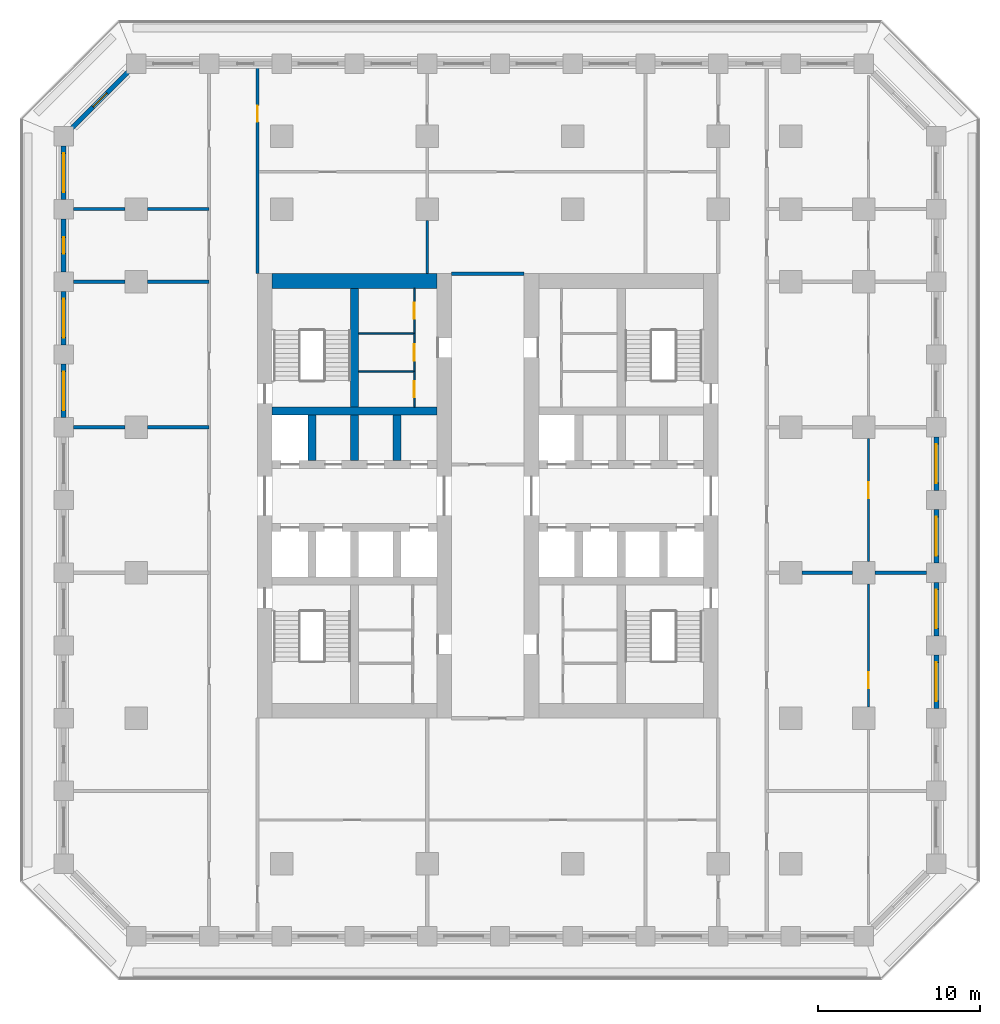
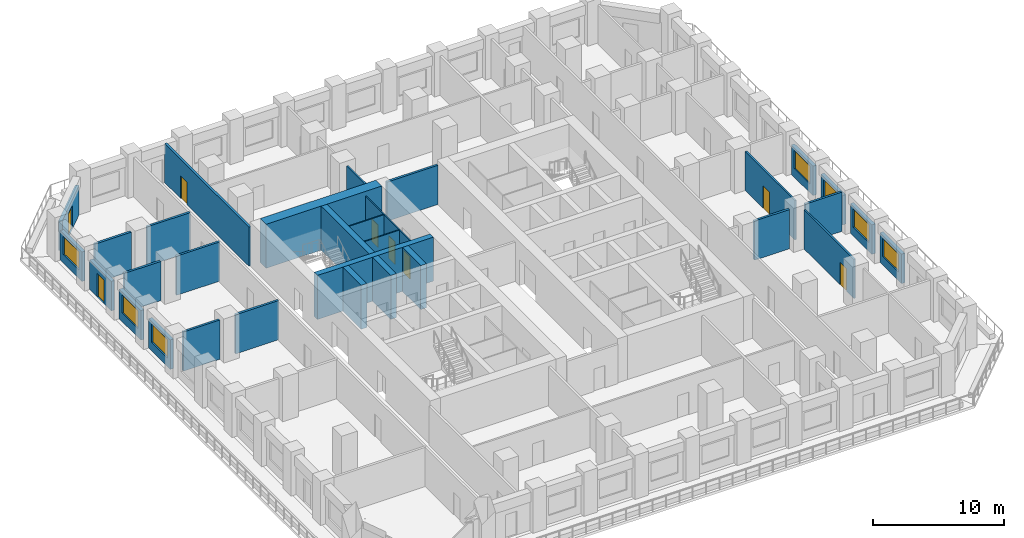
# One storey, part 6 of 17: 33 walls, 8 doors, 7 windows, 15 openings.
"""IFC4 building model written with IfcOpenShell, lengths in metres."""

from ifc_helpers import new_model, si_unit, direction, frame, frame_2d, origin, place, context, subcontext, project, spatial, rectangle, extrude, material, layer, layer_set, type_object, element, fill, save


model = new_model("IFC4")

# Units and contexts
model_context = context("Model", 3, precision=1e-05, world=origin(), true_north=direction((0.0, 1.0)))
body_context = subcontext(model_context, "Body", "Model", "MODEL_VIEW")
ifc_project = project(units=[si_unit("LENGTHUNIT", "METRE"), si_unit("AREAUNIT", "SQUARE_METRE"), si_unit("VOLUMEUNIT", "CUBIC_METRE"), si_unit("PLANEANGLEUNIT", "RADIAN"), si_unit("MASSUNIT", "GRAM", prefix="KILO")], contexts=[model_context])

# Site, building, storey
site_placement = place(None, origin())
site = spatial("IfcSite", under=ifc_project, at=site_placement, CompositionType="ELEMENT")
building_placement = place(site_placement, origin())
building = spatial("IfcBuilding", under=site, at=building_placement, Name="Corbel Stack Research Tower", CompositionType="ELEMENT")
storey_placement = place(building_placement, frame((0.0, 0.0, 86.10009765625)))
storey = spatial("IfcBuildingStorey", under=building, at=storey_placement, Name="L19", CompositionType="ELEMENT", Elevation=86.10009765625)

# Walls
ifc_material_1 = material(Name="Concrete C70/85", Category="concrete")
ifc_layer_1 = layer(ifc_material_1, 0.5)
ifc_layer_set_1 = layer_set([ifc_layer_1], Name="Concrete C70/85")
wall_type_1 = type_object("IfcWallType", Name="CW-500-70", PredefinedType="SHEAR", material=ifc_layer_set_1)
wall_1_placement = place(storey_placement, frame((-9.60009765625, 10.0, 0.0), z_axis=(0.0, 0.0, 1.0), x_axis=(1.0, 0.0, 0.0)))
element("IfcWall", 1, at=wall_1_placement, inside=storey, type_object=wall_type_1, Name="West core wall, north row back L19", PredefinedType="SHEAR", context=body_context, shape_type="SweptSolid", body=[
    extrude(rectangle(XDim=10.2001953125, YDim=0.5, at=frame_2d((5.10009765625, 0.0))), origin(), (0.0, 0.0, 1.0), 4.099853515625),
])
for number, where, z_axis, x_axis, name in (
    (2, (-7.125, 6.949951171875, 0.0), (0.0, 0.0, 1.0), (0.0, 1.0, 0.0), "West core wall, north shaft 1 L19"),
    (3, (-4.5, 6.949951171875, 0.0), (0.0, 0.0, 1.0), (0.0, 1.0, 0.0), "West core wall, north shaft 2 L19"),
    (4, (-1.875, 6.949951171875, 0.0), (0.0, 0.0, 1.0), (0.0, 1.0, 0.0), "West core wall, north shaft 3 L19"),
):
    element("IfcWall", number, at=place(storey_placement, frame(where, z_axis=z_axis, x_axis=x_axis)), inside=storey, type_object=wall_type_1, Name=name, PredefinedType="SHEAR", context=body_context, shape_type="SweptSolid", body=[
        extrude(rectangle(XDim=2.800048828125, YDim=0.5, at=frame_2d((1.39990234375, 0.0))), origin(), (0.0, 0.0, 1.0), 4.099853515625),
    ])
wall_2_placement = place(storey_placement, frame((-4.5, 10.25, 0.0), z_axis=(0.0, 0.0, 1.0), x_axis=(0.0, 1.0, 0.0)))
element("IfcWall", 5, at=wall_2_placement, inside=storey, type_object=wall_type_1, Name="West core wall, north stair and riser L19", PredefinedType="SHEAR", context=body_context, shape_type="SweptSolid", body=[
    extrude(rectangle(XDim=7.35009765625, YDim=0.5, at=frame_2d((3.675048828125, 0.0))), origin(), (0.0, 0.0, 1.0), 4.099853515625),
])
ifc_material_2 = material(Name="Concrete C70/85", Category="concrete")
ifc_layer_2 = layer(ifc_material_2, 0.89990234375)
ifc_layer_set_2 = layer_set([ifc_layer_2], Name="Concrete C70/85")
wall_type_2 = type_object("IfcWallType", Name="CW-900-70", PredefinedType="SHEAR", material=ifc_layer_set_2)
wall_3_placement = place(storey_placement, frame((-9.60009765625, 18.050048828125, 0.0), z_axis=(0.0, 0.0, 1.0), x_axis=(1.0, 0.0, 0.0)))
element("IfcWall", 6, at=wall_3_placement, inside=storey, type_object=wall_type_2, Name="West core wall, north end L19", PredefinedType="SHEAR", context=body_context, shape_type="SweptSolid", body=[
    extrude(rectangle(XDim=10.2001953125, YDim=0.89990234375, at=frame_2d((5.10009765625, 0.0))), origin(), (0.0, 0.0, 1.0), 4.099853515625),
])

# Wall, opening, door
ifc_material_3 = material(Name="Gypsum board")
ifc_layer_3 = layer(ifc_material_3, 0.10009765625)
ifc_layer_set_3 = layer_set([ifc_layer_3], Name="Gypsum board")
wall_type_3 = type_object("IfcWallType", Name="Core partition 100", PredefinedType="PARTITIONING", material=ifc_layer_set_3)
wall_4_placement = place(storey_placement, frame((-0.800048828125, 10.25, 0.0), z_axis=(0.0, 0.0, 1.0), x_axis=(0.0, 1.0, 0.0)))
wall_4 = element("IfcWall", 7, at=wall_4_placement, inside=storey, type_object=wall_type_3, Name="Core partition W", PredefinedType="PARTITIONING", context=body_context, shape_type="SweptSolid", body=[
    extrude(rectangle(XDim=2.205078125, YDim=0.10009765625, at=frame_2d((1.1025390625, 0.0))), origin(), (0.0, 0.0, 1.0), 3.64990234375),
])
opening_1_placement = place(wall_4_placement, frame((0.6025390625, 0.0, 0.0)))
opening_1 = element("IfcOpeningElement", 8, at=opening_1_placement, cuts=wall_4, Name="Opening CR-W12-R2-1000", PredefinedType="OPENING", context=body_context, shape_type="SweptSolid", body=[
    extrude(rectangle(XDim=1.0, YDim=2.10009765625, at=frame_2d((0.5, 1.050048828125))), frame((0.0, 0.06005859375, 0.0), z_axis=(0.0, -1.0, 0.0), x_axis=(1.0, 0.0, 0.0)), (0.0, 0.0, 1.0), 0.1201171875),
])
ifc_material_4 = material(Name="Painted steel door", Category="steel")
door_type_1 = type_object("IfcDoorType", Name="Riser door 1000 x 2100 FD60 right hand", OperationType="SINGLE_SWING_RIGHT", PredefinedType="DOOR", material=ifc_material_4)
door_1_placement = place(opening_1_placement, origin())
door_1 = element("IfcDoor", 9, at=door_1_placement, inside=storey, type_object=door_type_1, Name="Mechanical riser door W core", OperationType="SINGLE_SWING_RIGHT", OverallHeight=2.10009765625, OverallWidth=1.0, PredefinedType="DOOR", context=body_context, shape_type="SweptSolid", body=[
    extrude(rectangle(XDim=1.0, YDim=2.10009765625, at=frame_2d((0.5, 1.050048828125))), frame((0.0, 0.02490234375, 0.0), z_axis=(0.0, -1.0, 0.0), x_axis=(1.0, 0.0, 0.0)), (0.0, 0.0, 1.0), 0.050048828125),
])
fill(opening_1, door_1)

wall_5_placement = place(storey_placement, frame((-0.800048828125, 12.455078125, 0.0), z_axis=(0.0, 0.0, 1.0), x_axis=(0.0, 1.0, 0.0)))
wall_5 = element("IfcWall", 10, at=wall_5_placement, inside=storey, type_object=wall_type_3, Name="Core partition W", PredefinedType="PARTITIONING", context=body_context, shape_type="SweptSolid", body=[
    extrude(rectangle(XDim=2.351806640625, YDim=0.10009765625, at=frame_2d((1.17578125, 0.0))), origin(), (0.0, 0.0, 1.0), 3.64990234375),
])
opening_2_placement = place(wall_5_placement, frame((0.676025390625, 0.0, 0.0)))
opening_2 = element("IfcOpeningElement", 11, at=opening_2_placement, cuts=wall_5, Name="Opening CR-W12-R3-1000", PredefinedType="OPENING", context=body_context, shape_type="SweptSolid", body=[
    extrude(rectangle(XDim=1.0, YDim=2.10009765625, at=frame_2d((0.5, 1.050048828125))), frame((0.0, 0.06005859375, 0.0), z_axis=(0.0, -1.0, 0.0), x_axis=(1.0, 0.0, 0.0)), (0.0, 0.0, 1.0), 0.1201171875),
])
ifc_material_5 = material(Name="Painted steel door", Category="steel")
door_type_2 = type_object("IfcDoorType", Name="Service door 1000 x 2100 FD30 left hand", OperationType="SINGLE_SWING_LEFT", PredefinedType="DOOR", material=ifc_material_5)
door_2_placement = place(opening_2_placement, origin())
door_2 = element("IfcDoor", 12, at=door_2_placement, inside=storey, type_object=door_type_2, Name="Pantry door W core", OperationType="SINGLE_SWING_LEFT", OverallHeight=2.10009765625, OverallWidth=1.0, PredefinedType="DOOR", context=body_context, shape_type="SweptSolid", body=[
    extrude(rectangle(XDim=1.0, YDim=2.10009765625, at=frame_2d((0.5, 1.050048828125))), frame((0.0, 0.02490234375, 0.0), z_axis=(0.0, -1.0, 0.0), x_axis=(1.0, 0.0, 0.0)), (0.0, 0.0, 1.0), 0.050048828125),
])
fill(opening_2, door_2)

wall_6_placement = place(storey_placement, frame((-0.800048828125, 14.806884765625, 0.0), z_axis=(0.0, 0.0, 1.0), x_axis=(0.0, 1.0, 0.0)))
wall_6 = element("IfcWall", 13, at=wall_6_placement, inside=storey, type_object=wall_type_3, Name="Core partition W", PredefinedType="PARTITIONING", context=body_context, shape_type="SweptSolid", body=[
    extrude(rectangle(XDim=2.793212890625, YDim=0.10009765625, at=frame_2d((1.396484375, 0.0))), origin(), (0.0, 0.0, 1.0), 3.64990234375),
])
opening_3_placement = place(wall_6_placement, frame((0.896484375, 0.0, 0.0)))
opening_3 = element("IfcOpeningElement", 14, at=opening_3_placement, cuts=wall_6, Name="Opening CR-W12-R4-1000", PredefinedType="OPENING", context=body_context, shape_type="SweptSolid", body=[
    extrude(rectangle(XDim=1.0, YDim=2.10009765625, at=frame_2d((0.5, 1.050048828125))), frame((0.0, 0.06005859375, 0.0), z_axis=(0.0, -1.0, 0.0), x_axis=(1.0, 0.0, 0.0)), (0.0, 0.0, 1.0), 0.1201171875),
])
door_3_placement = place(opening_3_placement, origin())
door_3 = element("IfcDoor", 15, at=door_3_placement, inside=storey, type_object=door_type_1, Name="Electrical riser door W core", OperationType="SINGLE_SWING_RIGHT", OverallHeight=2.10009765625, OverallWidth=1.0, PredefinedType="DOOR", context=body_context, shape_type="SweptSolid", body=[
    extrude(rectangle(XDim=1.0, YDim=2.10009765625, at=frame_2d((0.5, 1.050048828125))), frame((0.0, 0.02490234375, 0.0), z_axis=(0.0, -1.0, 0.0), x_axis=(1.0, 0.0, 0.0)), (0.0, 0.0, 1.0), 0.050048828125),
])
fill(opening_3, door_3)

# Walls
for number, where, z_axis, x_axis, name in (
    (16, (-4.25, 12.455078125, 0.0), (0.0, 0.0, 1.0), (1.0, 0.0, 0.0), "Core partition W"),
    (17, (-4.25, 14.806884765625, 0.0), (0.0, 0.0, 1.0), (1.0, 0.0, 0.0), "Core partition W"),
):
    element("IfcWall", number, at=place(storey_placement, frame(where, z_axis=z_axis, x_axis=x_axis)), inside=storey, type_object=wall_type_3, Name=name, PredefinedType="PARTITIONING", context=body_context, shape_type="SweptSolid", body=[
        extrude(rectangle(XDim=3.449951171875, YDim=0.10009765625, at=frame_2d((1.72509765625, 0.0))), origin(), (0.0, 0.0, 1.0), 3.64990234375),
    ])

# Wall, opening, door
ifc_material_6 = material(Name="Fire-rated gypsum board partition on steel studs", Category="steel")
ifc_layer_4 = layer(ifc_material_6, 0.199951171875)
ifc_layer_set_4 = layer_set([ifc_layer_4], Name="Fire-rated gypsum board partition on steel studs")
wall_type_4 = type_object("IfcWallType", Name="Fire-rated partition 200 EI 60", PredefinedType="PARTITIONING", material=ifc_layer_set_4)
wall_7_placement = place(storey_placement, frame((-10.5, 31.35009765625, 0.0), z_axis=(0.0, 0.0, 1.0), x_axis=(0.0, -1.0, 0.0)))
wall_7 = element("IfcWall", 18, at=wall_7_placement, inside=storey, type_object=wall_type_4, Name="Partition L19-003", PredefinedType="PARTITIONING", context=body_context, shape_type="SweptSolid", body=[
    extrude(rectangle(XDim=12.85009765625, YDim=0.199951171875, at=frame_2d((6.425048828125, 0.0))), origin(), (0.0, 0.0, 1.0), 3.64990234375),
])
opening_4_placement = place(wall_7_placement, frame((2.449951171875, 0.0, 0.0)))
opening_4 = element("IfcOpeningElement", 19, at=opening_4_placement, cuts=wall_7, Name="Opening B3V1-011", PredefinedType="OPENING", context=body_context, shape_type="SweptSolid", body=[
    extrude(rectangle(XDim=1.0, YDim=2.10009765625, at=frame_2d((0.5, 1.050048828125))), frame((0.0, 0.10986328125, 0.0), z_axis=(0.0, -1.0, 0.0), x_axis=(1.0, 0.0, 0.0)), (0.0, 0.0, 1.0), 0.219970703125),
])
ifc_material_7 = material(Name="Painted steel fire door", Category="steel")
door_type_3 = type_object("IfcDoorType", Name="Fire door FD30S 1000 x 2100", OperationType="NOTDEFINED", PredefinedType="DOOR", material=ifc_material_7)
door_4_placement = place(opening_4_placement, origin())
door_4 = element("IfcDoor", 20, at=door_4_placement, inside=storey, type_object=door_type_3, Name="Door B3V1-011", OperationType="SINGLE_SWING_LEFT", OverallHeight=2.10009765625, OverallWidth=1.0, PredefinedType="DOOR", context=body_context, shape_type="SweptSolid", body=[
    extrude(rectangle(XDim=1.0, YDim=2.10009765625, at=frame_2d((0.5, 1.050048828125))), frame((0.0, 0.02490234375, 0.0), z_axis=(0.0, -1.0, 0.0), x_axis=(1.0, 0.0, 0.0)), (0.0, 0.0, 1.0), 0.050048828125),
])
fill(opening_4, door_4)

# Walls
wall_8_placement = place(storey_placement, frame((23.199951171875, 0.0, 0.0), z_axis=(0.0, 0.0, 1.0), x_axis=(1.0, 0.0, 0.0)))
element("IfcWall", 21, at=wall_8_placement, inside=storey, type_object=wall_type_4, Name="Partition L19-030", PredefinedType="PARTITIONING", context=body_context, shape_type="SweptSolid", body=[
    extrude(rectangle(XDim=3.10009765625, YDim=0.199951171875, at=frame_2d((1.550048828125, 0.0))), origin(), (0.0, 0.0, 1.0), 3.64990234375),
])
for number, where, z_axis, x_axis, name in (
    (22, (27.699951171875, 0.0, 0.0), (0.0, 0.0, 1.0), (1.0, 0.0, 0.0), "Partition L19-031"),
    (23, (-21.89990234375, 9.0, 0.0), (0.0, 0.0, 1.0), (1.0, 0.0, 0.0), "Partition L19-033"),
):
    element("IfcWall", number, at=place(storey_placement, frame(where, z_axis=z_axis, x_axis=x_axis)), inside=storey, type_object=wall_type_4, Name=name, PredefinedType="PARTITIONING", context=body_context, shape_type="SweptSolid", body=[
        extrude(rectangle(XDim=3.199951171875, YDim=0.199951171875, at=frame_2d((1.60009765625, 0.0))), origin(), (0.0, 0.0, 1.0), 3.64990234375),
    ])
wall_9_placement = place(storey_placement, frame((-17.300048828125, 9.0, 0.0), z_axis=(0.0, 0.0, 1.0), x_axis=(1.0, 0.0, 0.0)))
element("IfcWall", 24, at=wall_9_placement, inside=storey, type_object=wall_type_4, Name="Partition L19-034", PredefinedType="PARTITIONING", context=body_context, shape_type="SweptSolid", body=[
    extrude(rectangle(XDim=3.800048828125, YDim=0.199951171875, at=frame_2d((1.89990234375, 0.0))), origin(), (0.0, 0.0, 1.0), 3.64990234375),
])
wall_10_placement = place(storey_placement, frame((-21.89990234375, 18.0, 0.0), z_axis=(0.0, 0.0, 1.0), x_axis=(1.0, 0.0, 0.0)))
element("IfcWall", 25, at=wall_10_placement, inside=storey, type_object=wall_type_4, Name="Partition L19-038", PredefinedType="PARTITIONING", context=body_context, shape_type="SweptSolid", body=[
    extrude(rectangle(XDim=3.199951171875, YDim=0.199951171875, at=frame_2d((1.60009765625, 0.0))), origin(), (0.0, 0.0, 1.0), 3.64990234375),
])
wall_11_placement = place(storey_placement, frame((-17.300048828125, 18.0, 0.0), z_axis=(0.0, 0.0, 1.0), x_axis=(1.0, 0.0, 0.0)))
element("IfcWall", 26, at=wall_11_placement, inside=storey, type_object=wall_type_4, Name="Partition L19-039", PredefinedType="PARTITIONING", context=body_context, shape_type="SweptSolid", body=[
    extrude(rectangle(XDim=3.800048828125, YDim=0.199951171875, at=frame_2d((1.89990234375, 0.0))), origin(), (0.0, 0.0, 1.0), 3.64990234375),
])
wall_12_placement = place(storey_placement, frame((1.5, 18.5, 0.0), z_axis=(0.0, 0.0, 1.0), x_axis=(1.0, 0.0, 0.0)))
element("IfcWall", 27, at=wall_12_placement, inside=storey, type_object=wall_type_4, Name="Partition L19-043", PredefinedType="PARTITIONING", context=body_context, shape_type="SweptSolid", body=[
    extrude(rectangle(XDim=4.5, YDim=0.199951171875, at=frame_2d((2.25, 0.0))), origin(), (0.0, 0.0, 1.0), 3.64990234375),
])
wall_13_placement = place(storey_placement, frame((-21.89990234375, 22.5, 0.0), z_axis=(0.0, 0.0, 1.0), x_axis=(1.0, 0.0, 0.0)))
element("IfcWall", 28, at=wall_13_placement, inside=storey, type_object=wall_type_4, Name="Partition L19-044", PredefinedType="PARTITIONING", context=body_context, shape_type="SweptSolid", body=[
    extrude(rectangle(XDim=3.199951171875, YDim=0.199951171875, at=frame_2d((1.60009765625, 0.0))), origin(), (0.0, 0.0, 1.0), 3.64990234375),
])
wall_14_placement = place(storey_placement, frame((-17.300048828125, 22.5, 0.0), z_axis=(0.0, 0.0, 1.0), x_axis=(1.0, 0.0, 0.0)))
element("IfcWall", 29, at=wall_14_placement, inside=storey, type_object=wall_type_4, Name="Partition L19-045", PredefinedType="PARTITIONING", context=body_context, shape_type="SweptSolid", body=[
    extrude(rectangle(XDim=3.800048828125, YDim=0.199951171875, at=frame_2d((1.89990234375, 0.0))), origin(), (0.0, 0.0, 1.0), 3.64990234375),
])
ifc_material_8 = material(Name="Gypsum board partition on steel studs", Category="steel")
ifc_layer_5 = layer(ifc_material_8, 0.14990234375)
ifc_layer_set_5 = layer_set([ifc_layer_5], Name="Gypsum board partition on steel studs")
wall_type_5 = type_object("IfcWallType", Name="Partition 150", PredefinedType="PARTITIONING", material=ifc_layer_set_5)
wall_15_placement = place(storey_placement, frame((0.0, 18.5, 0.0), z_axis=(0.0, 0.0, 1.0), x_axis=(0.0, 1.0, 0.0)))
element("IfcWall", 30, at=wall_15_placement, inside=storey, type_object=wall_type_5, Name="Partition L19-004", PredefinedType="PARTITIONING", context=body_context, shape_type="SweptSolid", body=[
    extrude(rectangle(XDim=3.300048828125, YDim=0.14990234375, at=frame_2d((1.64990234375, 0.0))), origin(), (0.0, 0.0, 1.0), 3.64990234375),
])

# Wall, opening, door
wall_16_placement = place(storey_placement, frame((27.300048828125, -0.699951171875, 0.0), z_axis=(0.0, 0.0, 1.0), x_axis=(0.0, -1.0, 0.0)))
wall_16 = element("IfcWall", 31, at=wall_16_placement, inside=storey, type_object=wall_type_5, Name="Partition L19-018", PredefinedType="PARTITIONING", context=body_context, shape_type="SweptSolid", body=[
    extrude(rectangle(XDim=7.60009765625, YDim=0.14990234375, at=frame_2d((3.800048828125, 0.0))), origin(), (0.0, 0.0, 1.0), 3.64990234375),
])
opening_5_placement = place(wall_16_placement, frame((5.449951171875, 0.0, 0.0)))
opening_5 = element("IfcOpeningElement", 32, at=opening_5_placement, cuts=wall_16, Name="Opening B3V1-027", PredefinedType="OPENING", context=body_context, shape_type="SweptSolid", body=[
    extrude(rectangle(XDim=1.0, YDim=2.10009765625, at=frame_2d((0.5, 1.050048828125))), frame((0.0, 0.0849609375, 0.0), z_axis=(0.0, -1.0, 0.0), x_axis=(1.0, 0.0, 0.0)), (0.0, 0.0, 1.0), 0.169921875),
])
ifc_material_9 = material(Name="Painted timber door", Category="wood")
door_type_4 = type_object("IfcDoorType", Name="Single door 1000 x 2100", OperationType="NOTDEFINED", PredefinedType="DOOR", material=ifc_material_9)
door_5_placement = place(opening_5_placement, origin())
door_5 = element("IfcDoor", 33, at=door_5_placement, inside=storey, type_object=door_type_4, Name="Door B3V1-027", OperationType="SINGLE_SWING_RIGHT", OverallHeight=2.10009765625, OverallWidth=1.0, PredefinedType="DOOR", context=body_context, shape_type="SweptSolid", body=[
    extrude(rectangle(XDim=1.0, YDim=2.10009765625, at=frame_2d((0.5, 1.050048828125))), frame((0.0, 0.02490234375, 0.0), z_axis=(0.0, -1.0, 0.0), x_axis=(1.0, 0.0, 0.0)), (0.0, 0.0, 1.0), 0.050048828125),
])
fill(opening_5, door_5)

wall_17_placement = place(storey_placement, frame((27.300048828125, 8.300048828125, 0.0), z_axis=(0.0, 0.0, 1.0), x_axis=(0.0, -1.0, 0.0)))
wall_17 = element("IfcWall", 34, at=wall_17_placement, inside=storey, type_object=wall_type_5, Name="Partition L19-019", PredefinedType="PARTITIONING", context=body_context, shape_type="SweptSolid", body=[
    extrude(rectangle(XDim=7.60009765625, YDim=0.14990234375, at=frame_2d((3.800048828125, 0.0))), origin(), (0.0, 0.0, 1.0), 3.64990234375),
])
opening_6_placement = place(wall_17_placement, frame((2.699951171875, 0.0, 0.0)))
opening_6 = element("IfcOpeningElement", 35, at=opening_6_placement, cuts=wall_17, Name="Opening B3V1-028", PredefinedType="OPENING", context=body_context, shape_type="SweptSolid", body=[
    extrude(rectangle(XDim=1.0, YDim=2.10009765625, at=frame_2d((0.5, 1.050048828125))), frame((0.0, 0.0849609375, 0.0), z_axis=(0.0, -1.0, 0.0), x_axis=(1.0, 0.0, 0.0)), (0.0, 0.0, 1.0), 0.169921875),
])
door_6_placement = place(opening_6_placement, origin())
door_6 = element("IfcDoor", 36, at=door_6_placement, inside=storey, type_object=door_type_4, Name="Door B3V1-028", OperationType="SINGLE_SWING_LEFT", OverallHeight=2.10009765625, OverallWidth=1.0, PredefinedType="DOOR", context=body_context, shape_type="SweptSolid", body=[
    extrude(rectangle(XDim=1.0, YDim=2.10009765625, at=frame_2d((0.5, 1.050048828125))), frame((0.0, 0.02490234375, 0.0), z_axis=(0.0, -1.0, 0.0), x_axis=(1.0, 0.0, 0.0)), (0.0, 0.0, 1.0), 0.050048828125),
])
fill(opening_6, door_6)

# Wall, opening, window
ifc_material_10 = material(Name="Concrete C45/55", Category="concrete")
ifc_layer_6 = layer(ifc_material_10, 0.300048828125)
ifc_layer_set_6 = layer_set([ifc_layer_6], Name="Concrete C45/55")
wall_type_6 = type_object("IfcWallType", Name="Terracotta-faced concrete wall 300", PredefinedType="SOLIDWALL", material=ifc_layer_set_6)
wall_18_placement = place(storey_placement, frame((31.5, -5.10009765625, 0.0), z_axis=(0.0, 0.0, 1.0), x_axis=(0.0, -1.0, 0.0)))
wall_18 = element("IfcWall", 37, at=wall_18_placement, inside=storey, type_object=wall_type_6, Name="Facade wall L19 E03", PredefinedType="SOLIDWALL", context=body_context, shape_type="SweptSolid", body=[
    extrude(rectangle(XDim=3.2998046875, YDim=0.300048828125, at=frame_2d((1.64990234375, 0.0))), origin(), (0.0, 0.0, 1.0), 2.75),
])
opening_7_placement = place(wall_18_placement, frame((0.449951171875, 0.0, 0.800048828125)))
opening_7 = element("IfcOpeningElement", 38, at=opening_7_placement, cuts=wall_18, Name="Opening W1", PredefinedType="OPENING", context=body_context, shape_type="SweptSolid", body=[
    extrude(rectangle(XDim=2.39990234375, YDim=1.699951171875, at=frame_2d((1.199951171875, 0.85009765625))), frame((0.0, 0.159912109375, 0.0), z_axis=(0.0, -1.0, 0.0), x_axis=(1.0, 0.0, 0.0)), (0.0, 0.0, 1.0), 0.320068359375),
])
ifc_material_11 = material(Name="Aluminium frame, clear double glazing", Category="aluminium")
window_type = type_object("IfcWindowType", Name="Window W1 2400 x 1700", PartitioningType="SINGLE_PANEL", PredefinedType="WINDOW", material=ifc_material_11)
window_1_placement = place(opening_7_placement, origin())
window_1 = element("IfcWindow", 39, at=window_1_placement, inside=storey, type_object=window_type, Name="Window W1 L19 E03", OverallHeight=1.699951171875, OverallWidth=2.39990234375, PartitioningType="SINGLE_PANEL", PredefinedType="WINDOW", context=body_context, shape_type="SweptSolid", body=[
    extrude(rectangle(XDim=2.39990234375, YDim=1.699951171875, at=frame_2d((1.199951171875, 0.85009765625))), frame((0.0, 0.030029296875, 0.0), z_axis=(0.0, -1.0, 0.0), x_axis=(1.0, 0.0, 0.0)), (0.0, 0.0, 1.0), 0.06005859375),
])
fill(opening_7, window_1)

wall_19_placement = place(storey_placement, frame((31.5, -0.60009765625, 0.0), z_axis=(0.0, 0.0, 1.0), x_axis=(0.0, -1.0, 0.0)))
wall_19 = element("IfcWall", 40, at=wall_19_placement, inside=storey, type_object=wall_type_6, Name="Facade wall L19 E04", PredefinedType="SOLIDWALL", context=body_context, shape_type="SweptSolid", body=[
    extrude(rectangle(XDim=3.2998046875, YDim=0.300048828125, at=frame_2d((1.64990234375, 0.0))), origin(), (0.0, 0.0, 1.0), 2.75),
])
opening_8_placement = place(wall_19_placement, frame((0.449951171875, 0.0, 0.800048828125)))
opening_8 = element("IfcOpeningElement", 41, at=opening_8_placement, cuts=wall_19, Name="Opening W1", PredefinedType="OPENING", context=body_context, shape_type="SweptSolid", body=[
    extrude(rectangle(XDim=2.39990234375, YDim=1.699951171875, at=frame_2d((1.199951171875, 0.85009765625))), frame((0.0, 0.159912109375, 0.0), z_axis=(0.0, -1.0, 0.0), x_axis=(1.0, 0.0, 0.0)), (0.0, 0.0, 1.0), 0.320068359375),
])
window_2_placement = place(opening_8_placement, origin())
window_2 = element("IfcWindow", 42, at=window_2_placement, inside=storey, type_object=window_type, Name="Window W1 L19 E04", OverallHeight=1.699951171875, OverallWidth=2.39990234375, PartitioningType="SINGLE_PANEL", PredefinedType="WINDOW", context=body_context, shape_type="SweptSolid", body=[
    extrude(rectangle(XDim=2.39990234375, YDim=1.699951171875, at=frame_2d((1.199951171875, 0.85009765625))), frame((0.0, 0.030029296875, 0.0), z_axis=(0.0, -1.0, 0.0), x_axis=(1.0, 0.0, 0.0)), (0.0, 0.0, 1.0), 0.06005859375),
])
fill(opening_8, window_2)

wall_20_placement = place(storey_placement, frame((31.5, 3.89990234375, 0.0), z_axis=(0.0, 0.0, 1.0), x_axis=(0.0, -1.0, 0.0)))
wall_20 = element("IfcWall", 43, at=wall_20_placement, inside=storey, type_object=wall_type_6, Name="Facade wall L19 E05", PredefinedType="SOLIDWALL", context=body_context, shape_type="SweptSolid", body=[
    extrude(rectangle(XDim=3.2998046875, YDim=0.300048828125, at=frame_2d((1.64990234375, 0.0))), origin(), (0.0, 0.0, 1.0), 2.75),
])
opening_9_placement = place(wall_20_placement, frame((0.449951171875, 0.0, 0.800048828125)))
opening_9 = element("IfcOpeningElement", 44, at=opening_9_placement, cuts=wall_20, Name="Opening W1", PredefinedType="OPENING", context=body_context, shape_type="SweptSolid", body=[
    extrude(rectangle(XDim=2.39990234375, YDim=1.699951171875, at=frame_2d((1.199951171875, 0.85009765625))), frame((0.0, 0.159912109375, 0.0), z_axis=(0.0, -1.0, 0.0), x_axis=(1.0, 0.0, 0.0)), (0.0, 0.0, 1.0), 0.320068359375),
])
window_3_placement = place(opening_9_placement, origin())
window_3 = element("IfcWindow", 45, at=window_3_placement, inside=storey, type_object=window_type, Name="Window W1 L19 E05", OverallHeight=1.699951171875, OverallWidth=2.39990234375, PartitioningType="SINGLE_PANEL", PredefinedType="WINDOW", context=body_context, shape_type="SweptSolid", body=[
    extrude(rectangle(XDim=2.39990234375, YDim=1.699951171875, at=frame_2d((1.199951171875, 0.85009765625))), frame((0.0, 0.030029296875, 0.0), z_axis=(0.0, -1.0, 0.0), x_axis=(1.0, 0.0, 0.0)), (0.0, 0.0, 1.0), 0.06005859375),
])
fill(opening_9, window_3)

wall_21_placement = place(storey_placement, frame((31.5, 8.39990234375, 0.0), z_axis=(0.0, 0.0, 1.0), x_axis=(0.0, -1.0, 0.0)))
wall_21 = element("IfcWall", 46, at=wall_21_placement, inside=storey, type_object=wall_type_6, Name="Facade wall L19 E06", PredefinedType="SOLIDWALL", context=body_context, shape_type="SweptSolid", body=[
    extrude(rectangle(XDim=3.2998046875, YDim=0.300048828125, at=frame_2d((1.64990234375, 0.0))), origin(), (0.0, 0.0, 1.0), 2.75),
])
opening_10_placement = place(wall_21_placement, frame((0.449951171875, 0.0, 0.800048828125)))
opening_10 = element("IfcOpeningElement", 47, at=opening_10_placement, cuts=wall_21, Name="Opening W1", PredefinedType="OPENING", context=body_context, shape_type="SweptSolid", body=[
    extrude(rectangle(XDim=2.39990234375, YDim=1.699951171875, at=frame_2d((1.199951171875, 0.85009765625))), frame((0.0, 0.159912109375, 0.0), z_axis=(0.0, -1.0, 0.0), x_axis=(1.0, 0.0, 0.0)), (0.0, 0.0, 1.0), 0.320068359375),
])
window_4_placement = place(opening_10_placement, origin())
window_4 = element("IfcWindow", 48, at=window_4_placement, inside=storey, type_object=window_type, Name="Window W1 L19 E06", OverallHeight=1.699951171875, OverallWidth=2.39990234375, PartitioningType="SINGLE_PANEL", PredefinedType="WINDOW", context=body_context, shape_type="SweptSolid", body=[
    extrude(rectangle(XDim=2.39990234375, YDim=1.699951171875, at=frame_2d((1.199951171875, 0.85009765625))), frame((0.0, 0.030029296875, 0.0), z_axis=(0.0, -1.0, 0.0), x_axis=(1.0, 0.0, 0.0)), (0.0, 0.0, 1.0), 0.06005859375),
])
fill(opening_10, window_4)

# Wall, opening, door
wall_22_placement = place(storey_placement, frame((-22.006103515625, 27.493896484375, 0.0), z_axis=(0.0, 0.0, 1.0), x_axis=(0.707106781187, 0.707106781187, 0.0)))
wall_22 = element("IfcWall", 49, at=wall_22_placement, inside=storey, type_object=wall_type_6, Name="Facade wall L19 NW01", PredefinedType="SOLIDWALL", context=body_context, shape_type="SweptSolid", body=[
    extrude(rectangle(XDim=4.967041015625, YDim=0.300048828125, at=frame_2d((2.4833984375, 0.0))), origin(), (0.0, 0.0, 1.0), 2.75),
])
opening_11_placement = place(wall_22_placement, frame((1.883544921875, 0.0, 0.0)))
opening_11 = element("IfcOpeningElement", 50, at=opening_11_placement, cuts=wall_22, Name="Opening L19-B09", PredefinedType="OPENING", context=body_context, shape_type="SweptSolid", body=[
    extrude(rectangle(XDim=1.199951171875, YDim=2.199951171875, at=frame_2d((0.60009765625, 1.10009765625))), frame((0.0, 0.159912109375, 0.0), z_axis=(0.0, -1.0, 0.0), x_axis=(1.0, 0.0, 0.0)), (0.0, 0.0, 1.0), 0.320068359375),
])
ifc_material_12 = material(Name="Aluminium frame, clear double glazing", Category="aluminium")
door_type_5 = type_object("IfcDoorType", Name="Balcony door BD2 1200 x 2200", OperationType="NOTDEFINED", PredefinedType="DOOR", material=ifc_material_12)
door_7_placement = place(opening_11_placement, origin())
door_7 = element("IfcDoor", 51, at=door_7_placement, inside=storey, type_object=door_type_5, Name="Balcony door L19-B09", OperationType="SINGLE_SWING_RIGHT", OverallHeight=2.199951171875, OverallWidth=1.199951171875, PredefinedType="DOOR", context=body_context, shape_type="SweptSolid", body=[
    extrude(rectangle(XDim=1.199951171875, YDim=2.199951171875, at=frame_2d((0.60009765625, 1.10009765625))), frame((0.0, 0.02490234375, 0.0), z_axis=(0.0, -1.0, 0.0), x_axis=(1.0, 0.0, 0.0)), (0.0, 0.0, 1.0), 0.050048828125),
])
fill(opening_11, door_7)

# Wall, opening, window
wall_23_placement = place(storey_placement, frame((-22.5, 23.10009765625, 0.0), z_axis=(0.0, 0.0, 1.0), x_axis=(0.0, 1.0, 0.0)))
wall_23 = element("IfcWall", 52, at=wall_23_placement, inside=storey, type_object=wall_type_6, Name="Facade wall L19 W01", PredefinedType="SOLIDWALL", context=body_context, shape_type="SweptSolid", body=[
    extrude(rectangle(XDim=3.2998046875, YDim=0.300048828125, at=frame_2d((1.64990234375, 0.0))), origin(), (0.0, 0.0, 1.0), 2.75),
])
opening_12_placement = place(wall_23_placement, frame((0.449951171875, 0.0, 0.800048828125)))
opening_12 = element("IfcOpeningElement", 53, at=opening_12_placement, cuts=wall_23, Name="Opening W1", PredefinedType="OPENING", context=body_context, shape_type="SweptSolid", body=[
    extrude(rectangle(XDim=2.39990234375, YDim=1.699951171875, at=frame_2d((1.199951171875, 0.85009765625))), frame((0.0, 0.159912109375, 0.0), z_axis=(0.0, -1.0, 0.0), x_axis=(1.0, 0.0, 0.0)), (0.0, 0.0, 1.0), 0.320068359375),
])
window_5_placement = place(opening_12_placement, origin())
window_5 = element("IfcWindow", 54, at=window_5_placement, inside=storey, type_object=window_type, Name="Window W1 L19 W01", OverallHeight=1.699951171875, OverallWidth=2.39990234375, PartitioningType="SINGLE_PANEL", PredefinedType="WINDOW", context=body_context, shape_type="SweptSolid", body=[
    extrude(rectangle(XDim=2.39990234375, YDim=1.699951171875, at=frame_2d((1.199951171875, 0.85009765625))), frame((0.0, 0.030029296875, 0.0), z_axis=(0.0, -1.0, 0.0), x_axis=(1.0, 0.0, 0.0)), (0.0, 0.0, 1.0), 0.06005859375),
])
fill(opening_12, window_5)

# Wall, opening, door
wall_24_placement = place(storey_placement, frame((-22.5, 18.60009765625, 0.0), z_axis=(0.0, 0.0, 1.0), x_axis=(0.0, 1.0, 0.0)))
wall_24 = element("IfcWall", 55, at=wall_24_placement, inside=storey, type_object=wall_type_6, Name="Facade wall L19 W02", PredefinedType="SOLIDWALL", context=body_context, shape_type="SweptSolid", body=[
    extrude(rectangle(XDim=3.2998046875, YDim=0.300048828125, at=frame_2d((1.64990234375, 0.0))), origin(), (0.0, 0.0, 1.0), 2.75),
])
opening_13_placement = place(wall_24_placement, frame((1.14990234375, 0.0, 0.0)))
opening_13 = element("IfcOpeningElement", 56, at=opening_13_placement, cuts=wall_24, Name="Opening L19-B10", PredefinedType="OPENING", context=body_context, shape_type="SweptSolid", body=[
    extrude(rectangle(XDim=1.0, YDim=2.199951171875, at=frame_2d((0.5, 1.10009765625))), frame((0.0, 0.159912109375, 0.0), z_axis=(0.0, -1.0, 0.0), x_axis=(1.0, 0.0, 0.0)), (0.0, 0.0, 1.0), 0.320068359375),
])
ifc_material_13 = material(Name="Aluminium frame, clear double glazing", Category="aluminium")
door_type_6 = type_object("IfcDoorType", Name="Balcony door BD1 1000 x 2200", OperationType="NOTDEFINED", PredefinedType="DOOR", material=ifc_material_13)
door_8_placement = place(opening_13_placement, origin())
door_8 = element("IfcDoor", 57, at=door_8_placement, inside=storey, type_object=door_type_6, Name="Balcony door L19-B10", OperationType="SINGLE_SWING_LEFT", OverallHeight=2.199951171875, OverallWidth=1.0, PredefinedType="DOOR", context=body_context, shape_type="SweptSolid", body=[
    extrude(rectangle(XDim=1.0, YDim=2.199951171875, at=frame_2d((0.5, 1.10009765625))), frame((0.0, 0.02490234375, 0.0), z_axis=(0.0, -1.0, 0.0), x_axis=(1.0, 0.0, 0.0)), (0.0, 0.0, 1.0), 0.050048828125),
])
fill(opening_13, door_8)

# Wall, opening, window
wall_25_placement = place(storey_placement, frame((-22.5, 14.10009765625, 0.0), z_axis=(0.0, 0.0, 1.0), x_axis=(0.0, 1.0, 0.0)))
wall_25 = element("IfcWall", 58, at=wall_25_placement, inside=storey, type_object=wall_type_6, Name="Facade wall L19 W03", PredefinedType="SOLIDWALL", context=body_context, shape_type="SweptSolid", body=[
    extrude(rectangle(XDim=3.2998046875, YDim=0.300048828125, at=frame_2d((1.64990234375, 0.0))), origin(), (0.0, 0.0, 1.0), 2.75),
])
opening_14_placement = place(wall_25_placement, frame((0.449951171875, 0.0, 0.800048828125)))
opening_14 = element("IfcOpeningElement", 59, at=opening_14_placement, cuts=wall_25, Name="Opening W1", PredefinedType="OPENING", context=body_context, shape_type="SweptSolid", body=[
    extrude(rectangle(XDim=2.39990234375, YDim=1.699951171875, at=frame_2d((1.199951171875, 0.85009765625))), frame((0.0, 0.159912109375, 0.0), z_axis=(0.0, -1.0, 0.0), x_axis=(1.0, 0.0, 0.0)), (0.0, 0.0, 1.0), 0.320068359375),
])
window_6_placement = place(opening_14_placement, origin())
window_6 = element("IfcWindow", 60, at=window_6_placement, inside=storey, type_object=window_type, Name="Window W1 L19 W03", OverallHeight=1.699951171875, OverallWidth=2.39990234375, PartitioningType="SINGLE_PANEL", PredefinedType="WINDOW", context=body_context, shape_type="SweptSolid", body=[
    extrude(rectangle(XDim=2.39990234375, YDim=1.699951171875, at=frame_2d((1.199951171875, 0.85009765625))), frame((0.0, 0.030029296875, 0.0), z_axis=(0.0, -1.0, 0.0), x_axis=(1.0, 0.0, 0.0)), (0.0, 0.0, 1.0), 0.06005859375),
])
fill(opening_14, window_6)

wall_26_placement = place(storey_placement, frame((-22.5, 9.60009765625, 0.0), z_axis=(0.0, 0.0, 1.0), x_axis=(0.0, 1.0, 0.0)))
wall_26 = element("IfcWall", 61, at=wall_26_placement, inside=storey, type_object=wall_type_6, Name="Facade wall L19 W04", PredefinedType="SOLIDWALL", context=body_context, shape_type="SweptSolid", body=[
    extrude(rectangle(XDim=3.2998046875, YDim=0.300048828125, at=frame_2d((1.64990234375, 0.0))), origin(), (0.0, 0.0, 1.0), 2.75),
])
opening_15_placement = place(wall_26_placement, frame((0.449951171875, 0.0, 0.800048828125)))
opening_15 = element("IfcOpeningElement", 62, at=opening_15_placement, cuts=wall_26, Name="Opening W1", PredefinedType="OPENING", context=body_context, shape_type="SweptSolid", body=[
    extrude(rectangle(XDim=2.39990234375, YDim=1.699951171875, at=frame_2d((1.199951171875, 0.85009765625))), frame((0.0, 0.159912109375, 0.0), z_axis=(0.0, -1.0, 0.0), x_axis=(1.0, 0.0, 0.0)), (0.0, 0.0, 1.0), 0.320068359375),
])
window_7_placement = place(opening_15_placement, origin())
window_7 = element("IfcWindow", 63, at=window_7_placement, inside=storey, type_object=window_type, Name="Window W1 L19 W04", OverallHeight=1.699951171875, OverallWidth=2.39990234375, PartitioningType="SINGLE_PANEL", PredefinedType="WINDOW", context=body_context, shape_type="SweptSolid", body=[
    extrude(rectangle(XDim=2.39990234375, YDim=1.699951171875, at=frame_2d((1.199951171875, 0.85009765625))), frame((0.0, 0.030029296875, 0.0), z_axis=(0.0, -1.0, 0.0), x_axis=(1.0, 0.0, 0.0)), (0.0, 0.0, 1.0), 0.06005859375),
])
fill(opening_15, window_7)

save(model, "model.ifc")
